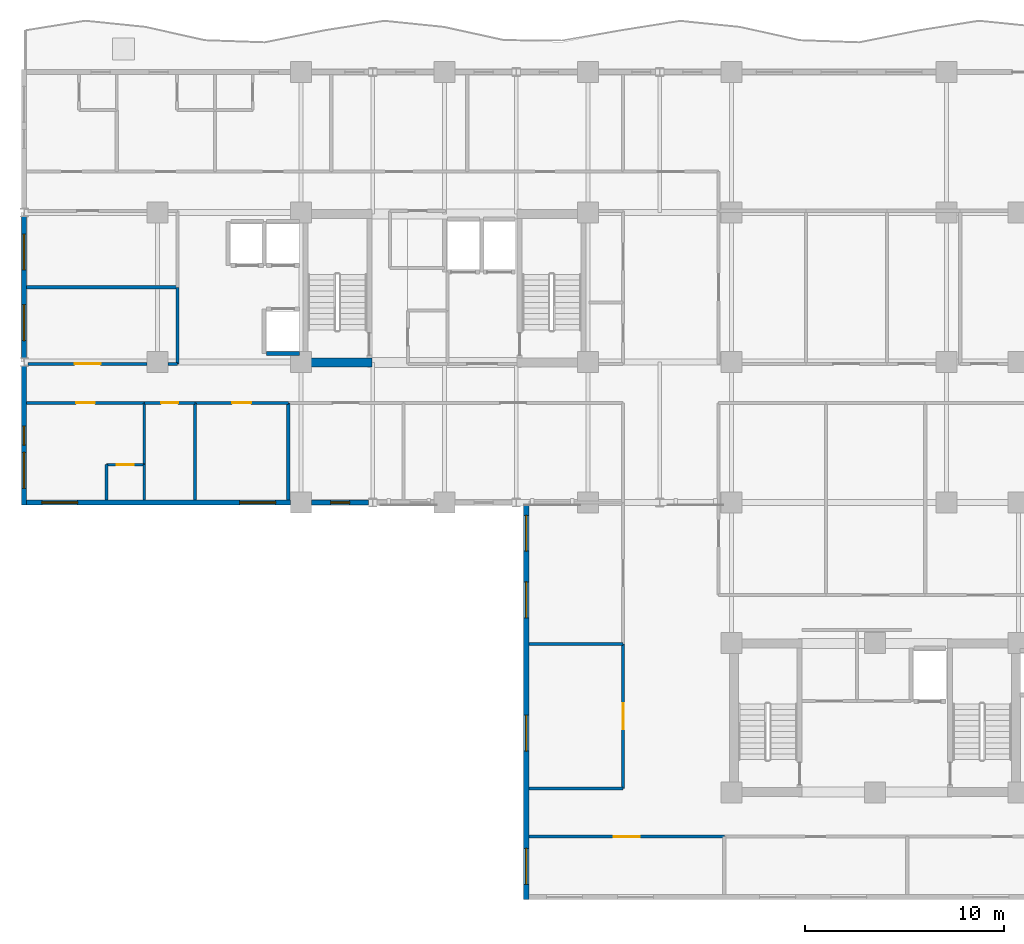
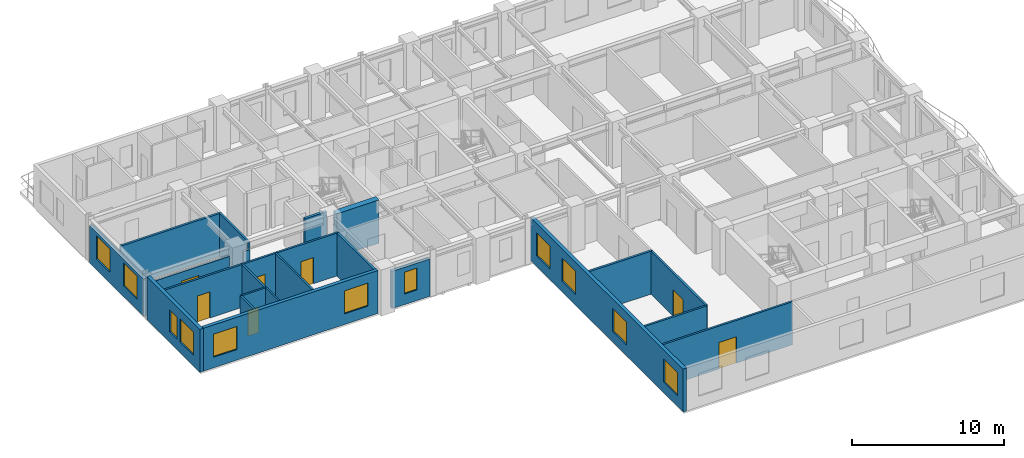
# One storey, part 4 of 13: 24 walls, 11 windows, 7 doors, 18 openings.
"""IFC4 building model written with IfcOpenShell, lengths in metres."""

from ifc_helpers import new_model, si_unit, direction, frame, frame_2d, origin, place, context, subcontext, project, spatial, rectangle, extrude, material, layer, layer_set, type_object, element, fill, save


model = new_model("IFC4")

# Units and contexts
model_context = context("Model", 3, precision=1e-05, world=origin(), true_north=direction((0.0, 1.0)))
body_context = subcontext(model_context, "Body", "Model", "MODEL_VIEW")
ifc_project = project(units=[si_unit("LENGTHUNIT", "METRE"), si_unit("AREAUNIT", "SQUARE_METRE"), si_unit("VOLUMEUNIT", "CUBIC_METRE"), si_unit("PLANEANGLEUNIT", "RADIAN"), si_unit("MASSUNIT", "GRAM", prefix="KILO")], contexts=[model_context])

# Site, building, storey
site_placement = place(None, origin())
site = spatial("IfcSite", under=ifc_project, at=site_placement, CompositionType="ELEMENT")
building_placement = place(site_placement, origin())
building = spatial("IfcBuilding", under=site, at=building_placement, Name="Kaliganga Portal Commons", CompositionType="ELEMENT")
storey_placement = place(building_placement, frame((0.0, 0.0, 158.699951171875)))
storey = spatial("IfcBuildingStorey", under=building, at=storey_placement, Name="L40", CompositionType="ELEMENT", Elevation=158.699951171875)

# Wall
ifc_material_1 = material(Name="Concrete C60/75", Category="concrete")
ifc_layer_1 = layer(ifc_material_1, 0.449951171875)
ifc_layer_set_1 = layer_set([ifc_layer_1], Name="Concrete C60/75")
wall_type_1 = type_object("IfcWallType", Name="WL-CORE-450", PredefinedType="SHEAR", material=ifc_layer_set_1)
wall_1_placement = place(storey_placement, frame((14.75, 28.625, 0.0), z_axis=(0.0, 0.0, 1.0), x_axis=(1.0, 0.0, 0.0)))
element("IfcWall", 1, at=wall_1_placement, inside=storey, type_object=wall_type_1, Name="Core A S-West Shear Wall L40", PredefinedType="SHEAR", context=body_context, shape_type="SweptSolid", body=[
    extrude(rectangle(XDim=3.199951171875, YDim=0.449951171875, at=frame_2d((1.60009765625, 0.0))), origin(), (0.0, 0.0, 1.0), 3.4599609375),
])

# Wall, openings, windows
ifc_material_2 = material(Name="Insulated Aluminium-Clad Spandrel Assembly", Category="aluminium")
ifc_layer_2 = layer(ifc_material_2, 0.260009765625)
ifc_layer_set_2 = layer_set([ifc_layer_2], Name="Insulated Aluminium-Clad Spandrel Assembly")
wall_type_2 = type_object("IfcWallType", Name="WL-EXT-SPAND-260", PredefinedType="STANDARD", material=ifc_layer_set_2)
wall_2_placement = place(storey_placement, frame((0.5, 28.85791015625, 0.0), z_axis=(0.0, 0.0, 1.0), x_axis=(0.0, 1.0, 0.0)))
wall_2 = element("IfcWall", 2, at=wall_2_placement, inside=storey, type_object=wall_type_2, Name="Exterior Envelope Wall L40 P1-E03-S2", PredefinedType="STANDARD", context=body_context, shape_type="SweptSolid", body=[
    extrude(rectangle(XDim=7.083984375, YDim=0.260009765625, at=frame_2d((3.5419921875, 0.0))), origin(), (0.0, 0.0, 1.0), 2.989990234375),
])
opening_1_placement = place(wall_2_placement, frame((0.87109375, 0.0, 0.85009765625)))
opening_1 = element("IfcOpeningElement", 3, at=opening_1_placement, cuts=wall_2, Name="Opening W-01", PredefinedType="OPENING", context=body_context, shape_type="SweptSolid", body=[
    extrude(rectangle(XDim=1.800048828125, YDim=1.85009765625, at=frame_2d((0.89990234375, 0.925048828125))), frame((0.0, 0.14013671875, 0.0), z_axis=(0.0, -1.0, 0.0), x_axis=(1.0, 0.0, 0.0)), (0.0, 0.0, 1.0), 0.280029296875),
])
opening_2_placement = place(wall_2_placement, frame((4.4130859375, 0.0, 0.85009765625)))
opening_2 = element("IfcOpeningElement", 4, at=opening_2_placement, cuts=wall_2, Name="Opening W-01", PredefinedType="OPENING", context=body_context, shape_type="SweptSolid", body=[
    extrude(rectangle(XDim=1.800048828125, YDim=1.85009765625, at=frame_2d((0.89990234375, 0.925048828125))), frame((0.0, 0.14013671875, 0.0), z_axis=(0.0, -1.0, 0.0), x_axis=(1.0, 0.0, 0.0)), (0.0, 0.0, 1.0), 0.280029296875),
])
ifc_material_3 = material(Name="Thermally Broken Aluminium and Low-E Double Glazing", Category="aluminium")
window_type_1 = type_object("IfcWindowType", Name="WIN-STD-1800", PartitioningType="DOUBLE_PANEL_VERTICAL", PredefinedType="WINDOW", material=ifc_material_3)
window_1_placement = place(opening_1_placement, origin())
window_1 = element("IfcWindow", 5, at=window_1_placement, inside=storey, type_object=window_type_1, Name="Facade Window L40-P1E03S2-00", OverallHeight=1.85009765625, OverallWidth=1.800048828125, PartitioningType="SINGLE_PANEL", PredefinedType="WINDOW", context=body_context, shape_type="SweptSolid", body=[
    extrude(rectangle(XDim=1.800048828125, YDim=1.85009765625, at=frame_2d((0.89990234375, 0.925048828125))), frame((0.0, 0.030029296875, 0.0), z_axis=(0.0, -1.0, 0.0), x_axis=(1.0, 0.0, 0.0)), (0.0, 0.0, 1.0), 0.06005859375),
])
fill(opening_1, window_1)
window_2_placement = place(opening_2_placement, origin())
window_2 = element("IfcWindow", 6, at=window_2_placement, inside=storey, type_object=window_type_1, Name="Facade Window L40-P1E03S2-01", OverallHeight=1.85009765625, OverallWidth=1.800048828125, PartitioningType="SINGLE_PANEL", PredefinedType="WINDOW", context=body_context, shape_type="SweptSolid", body=[
    extrude(rectangle(XDim=1.800048828125, YDim=1.85009765625, at=frame_2d((0.89990234375, 0.925048828125))), frame((0.0, 0.030029296875, 0.0), z_axis=(0.0, -1.0, 0.0), x_axis=(1.0, 0.0, 0.0)), (0.0, 0.0, 1.0), 0.06005859375),
])
fill(opening_2, window_2)

wall_3_placement = place(storey_placement, frame((0.5, 21.469970703125, 0.0), z_axis=(0.0, 0.0, 1.0), x_axis=(0.0, 1.0, 0.0)))
wall_3 = element("IfcWall", 7, at=wall_3_placement, inside=storey, type_object=wall_type_2, Name="Exterior Envelope Wall L40 P1-E03-S3", PredefinedType="STANDARD", context=body_context, shape_type="SweptSolid", body=[
    extrude(rectangle(XDim=6.971923828125, YDim=0.260009765625, at=frame_2d((3.48583984375, 0.0))), origin(), (0.0, 0.0, 1.0), 3.43994140625),
])
opening_3_placement = place(wall_3_placement, frame((0.843017578125, 0.0, 0.85009765625)))
opening_3 = element("IfcOpeningElement", 8, at=opening_3_placement, cuts=wall_3, Name="Opening W-01", PredefinedType="OPENING", context=body_context, shape_type="SweptSolid", body=[
    extrude(rectangle(XDim=1.800048828125, YDim=1.85009765625, at=frame_2d((0.89990234375, 0.925048828125))), frame((0.0, 0.14013671875, 0.0), z_axis=(0.0, -1.0, 0.0), x_axis=(1.0, 0.0, 0.0)), (0.0, 0.0, 1.0), 0.280029296875),
])
opening_4_placement = place(wall_3_placement, frame((3.010986328125, 0.0, 0.85009765625)))
opening_4 = element("IfcOpeningElement", 9, at=opening_4_placement, cuts=wall_3, Name="Opening W-04", PredefinedType="OPENING", context=body_context, shape_type="SweptSolid", body=[
    extrude(rectangle(XDim=0.949951171875, YDim=1.75, at=frame_2d((0.47509765625, 0.875))), frame((0.0, 0.14013671875, 0.0), z_axis=(0.0, -1.0, 0.0), x_axis=(1.0, 0.0, 0.0)), (0.0, 0.0, 1.0), 0.280029296875),
])
window_type_2 = type_object("IfcWindowType", Name="WIN-NARROW-950", PartitioningType="SINGLE_PANEL", PredefinedType="WINDOW", material=ifc_material_3)
window_3_placement = place(opening_4_placement, origin())
window_3 = element("IfcWindow", 10, at=window_3_placement, inside=storey, type_object=window_type_2, Name="Facade Window L40-P1E03S3-N0", OverallHeight=1.75, OverallWidth=0.949951171875, PartitioningType="SINGLE_PANEL", PredefinedType="WINDOW", context=body_context, shape_type="SweptSolid", body=[
    extrude(rectangle(XDim=0.949951171875, YDim=1.75, at=frame_2d((0.47509765625, 0.875))), frame((0.0, 0.030029296875, 0.0), z_axis=(0.0, -1.0, 0.0), x_axis=(1.0, 0.0, 0.0)), (0.0, 0.0, 1.0), 0.06005859375),
])
fill(opening_4, window_3)
window_4_placement = place(opening_3_placement, origin())
window_4 = element("IfcWindow", 11, at=window_4_placement, inside=storey, type_object=window_type_1, Name="Facade Window L40-P1E03S3-00", OverallHeight=1.85009765625, OverallWidth=1.800048828125, PartitioningType="SINGLE_PANEL", PredefinedType="WINDOW", context=body_context, shape_type="SweptSolid", body=[
    extrude(rectangle(XDim=1.800048828125, YDim=1.85009765625, at=frame_2d((0.89990234375, 0.925048828125))), frame((0.0, 0.030029296875, 0.0), z_axis=(0.0, -1.0, 0.0), x_axis=(1.0, 0.0, 0.0)), (0.0, 0.0, 1.0), 0.06005859375),
])
fill(opening_3, window_4)

wall_4_placement = place(storey_placement, frame((13.8740234375, 21.60009765625, 0.0), z_axis=(0.0, 0.0, 1.0), x_axis=(-1.0, 0.0, 0.0)))
wall_4 = element("IfcWall", 12, at=wall_4_placement, inside=storey, type_object=wall_type_2, Name="Exterior Envelope Wall L40 P1-E04-S1", PredefinedType="STANDARD", context=body_context, shape_type="SweptSolid", body=[
    extrude(rectangle(XDim=13.239013671875, YDim=0.260009765625, at=frame_2d((6.61962890625, 0.0))), origin(), (0.0, 0.0, 1.0), 3.43994140625),
])
opening_5_placement = place(wall_4_placement, frame((0.7548828125, 0.0, 0.85009765625)))
opening_5 = element("IfcOpeningElement", 13, at=opening_5_placement, cuts=wall_4, Name="Opening W-01", PredefinedType="OPENING", context=body_context, shape_type="SweptSolid", body=[
    extrude(rectangle(XDim=1.800048828125, YDim=1.85009765625, at=frame_2d((0.89990234375, 0.925048828125))), frame((0.0, 0.14013671875, 0.0), z_axis=(0.0, -1.0, 0.0), x_axis=(1.0, 0.0, 0.0)), (0.0, 0.0, 1.0), 0.280029296875),
])
opening_6_placement = place(wall_4_placement, frame((10.68408203125, 0.0, 0.85009765625)))
opening_6 = element("IfcOpeningElement", 14, at=opening_6_placement, cuts=wall_4, Name="Opening W-01", PredefinedType="OPENING", context=body_context, shape_type="SweptSolid", body=[
    extrude(rectangle(XDim=1.800048828125, YDim=1.85009765625, at=frame_2d((0.89990234375, 0.925048828125))), frame((0.0, 0.14013671875, 0.0), z_axis=(0.0, -1.0, 0.0), x_axis=(1.0, 0.0, 0.0)), (0.0, 0.0, 1.0), 0.280029296875),
])
window_5_placement = place(opening_5_placement, origin())
window_5 = element("IfcWindow", 15, at=window_5_placement, inside=storey, type_object=window_type_1, Name="Facade Window L40-P1E04S1-00", OverallHeight=1.85009765625, OverallWidth=1.800048828125, PartitioningType="SINGLE_PANEL", PredefinedType="WINDOW", context=body_context, shape_type="SweptSolid", body=[
    extrude(rectangle(XDim=1.800048828125, YDim=1.85009765625, at=frame_2d((0.89990234375, 0.925048828125))), frame((0.0, 0.030029296875, 0.0), z_axis=(0.0, -1.0, 0.0), x_axis=(1.0, 0.0, 0.0)), (0.0, 0.0, 1.0), 0.06005859375),
])
fill(opening_5, window_5)
window_6_placement = place(opening_6_placement, origin())
window_6 = element("IfcWindow", 16, at=window_6_placement, inside=storey, type_object=window_type_1, Name="Facade Window L40-P1E04S1-03", OverallHeight=1.85009765625, OverallWidth=1.800048828125, PartitioningType="SINGLE_PANEL", PredefinedType="WINDOW", context=body_context, shape_type="SweptSolid", body=[
    extrude(rectangle(XDim=1.800048828125, YDim=1.85009765625, at=frame_2d((0.89990234375, 0.925048828125))), frame((0.0, 0.030029296875, 0.0), z_axis=(0.0, -1.0, 0.0), x_axis=(1.0, 0.0, 0.0)), (0.0, 0.0, 1.0), 0.06005859375),
])
fill(opening_6, window_6)

# Wall, opening, window
wall_5_placement = place(storey_placement, frame((17.797119140625, 21.60009765625, 0.0), z_axis=(0.0, 0.0, 1.0), x_axis=(-1.0, 0.0, 0.0)))
wall_5 = element("IfcWall", 17, at=wall_5_placement, inside=storey, type_object=wall_type_2, Name="Exterior Envelope Wall L40 P1-E04-S2", PredefinedType="STANDARD", context=body_context, shape_type="SweptSolid", body=[
    extrude(rectangle(XDim=2.87109375, YDim=0.260009765625, at=frame_2d((1.435546875, 0.0))), origin(), (0.0, 0.0, 1.0), 2.989990234375),
])
opening_7_placement = place(wall_5_placement, frame((0.96044921875, 0.0, 0.85009765625)))
opening_7 = element("IfcOpeningElement", 18, at=opening_7_placement, cuts=wall_5, Name="Opening W-04", PredefinedType="OPENING", context=body_context, shape_type="SweptSolid", body=[
    extrude(rectangle(XDim=0.949951171875, YDim=1.75, at=frame_2d((0.47509765625, 0.875))), frame((0.0, 0.14013671875, 0.0), z_axis=(0.0, -1.0, 0.0), x_axis=(1.0, 0.0, 0.0)), (0.0, 0.0, 1.0), 0.280029296875),
])
window_7_placement = place(opening_7_placement, origin())
window_7 = element("IfcWindow", 19, at=window_7_placement, inside=storey, type_object=window_type_2, Name="Facade Window L40-P1E04S2-00", OverallHeight=1.75, OverallWidth=0.949951171875, PartitioningType="SINGLE_PANEL", PredefinedType="WINDOW", context=body_context, shape_type="SweptSolid", body=[
    extrude(rectangle(XDim=0.949951171875, YDim=1.75, at=frame_2d((0.47509765625, 0.875))), frame((0.0, 0.030029296875, 0.0), z_axis=(0.0, -1.0, 0.0), x_axis=(1.0, 0.0, 0.0)), (0.0, 0.0, 1.0), 0.06005859375),
])
fill(opening_7, window_7)

# Wall, openings, windows
wall_6_placement = place(storey_placement, frame((25.699951171875, 1.669921875, 0.0), z_axis=(0.0, 0.0, 1.0), x_axis=(0.0, 1.0, 0.0)))
wall_6 = element("IfcWall", 20, at=wall_6_placement, inside=storey, type_object=wall_type_2, Name="Exterior Envelope Wall L40 P1-E05-S1", PredefinedType="STANDARD", context=body_context, shape_type="SweptSolid", body=[
    extrude(rectangle(XDim=20.06005859375, YDim=0.260009765625, at=frame_2d((10.030029296875, 0.0))), origin(), (0.0, 0.0, 1.0), 3.43994140625),
])
opening_8_placement = place(wall_6_placement, frame((0.771728515625, 0.0, 0.85009765625)))
opening_8 = element("IfcOpeningElement", 21, at=opening_8_placement, cuts=wall_6, Name="Opening W-01", PredefinedType="OPENING", context=body_context, shape_type="SweptSolid", body=[
    extrude(rectangle(XDim=1.800048828125, YDim=1.85009765625, at=frame_2d((0.89990234375, 0.925048828125))), frame((0.0, 0.14013671875, 0.0), z_axis=(0.0, -1.0, 0.0), x_axis=(1.0, 0.0, 0.0)), (0.0, 0.0, 1.0), 0.280029296875),
])
opening_9_placement = place(wall_6_placement, frame((7.458251953125, 0.0, 0.85009765625)))
opening_9 = element("IfcOpeningElement", 22, at=opening_9_placement, cuts=wall_6, Name="Opening W-01", PredefinedType="OPENING", context=body_context, shape_type="SweptSolid", body=[
    extrude(rectangle(XDim=1.800048828125, YDim=1.85009765625, at=frame_2d((0.89990234375, 0.925048828125))), frame((0.0, 0.14013671875, 0.0), z_axis=(0.0, -1.0, 0.0), x_axis=(1.0, 0.0, 0.0)), (0.0, 0.0, 1.0), 0.280029296875),
])
opening_10_placement = place(wall_6_placement, frame((14.14501953125, 0.0, 0.85009765625)))
opening_10 = element("IfcOpeningElement", 23, at=opening_10_placement, cuts=wall_6, Name="Opening W-01", PredefinedType="OPENING", context=body_context, shape_type="SweptSolid", body=[
    extrude(rectangle(XDim=1.800048828125, YDim=1.85009765625, at=frame_2d((0.89990234375, 0.925048828125))), frame((0.0, 0.14013671875, 0.0), z_axis=(0.0, -1.0, 0.0), x_axis=(1.0, 0.0, 0.0)), (0.0, 0.0, 1.0), 0.280029296875),
])
opening_11_placement = place(wall_6_placement, frame((17.48828125, 0.0, 0.85009765625)))
opening_11 = element("IfcOpeningElement", 24, at=opening_11_placement, cuts=wall_6, Name="Opening W-01", PredefinedType="OPENING", context=body_context, shape_type="SweptSolid", body=[
    extrude(rectangle(XDim=1.800048828125, YDim=1.85009765625, at=frame_2d((0.89990234375, 0.925048828125))), frame((0.0, 0.14013671875, 0.0), z_axis=(0.0, -1.0, 0.0), x_axis=(1.0, 0.0, 0.0)), (0.0, 0.0, 1.0), 0.280029296875),
])
window_8_placement = place(opening_8_placement, origin())
window_8 = element("IfcWindow", 25, at=window_8_placement, inside=storey, type_object=window_type_1, Name="Facade Window L40-P1E05S1-00", OverallHeight=1.85009765625, OverallWidth=1.800048828125, PartitioningType="SINGLE_PANEL", PredefinedType="WINDOW", context=body_context, shape_type="SweptSolid", body=[
    extrude(rectangle(XDim=1.800048828125, YDim=1.85009765625, at=frame_2d((0.89990234375, 0.925048828125))), frame((0.0, 0.030029296875, 0.0), z_axis=(0.0, -1.0, 0.0), x_axis=(1.0, 0.0, 0.0)), (0.0, 0.0, 1.0), 0.06005859375),
])
fill(opening_8, window_8)
window_9_placement = place(opening_9_placement, origin())
window_9 = element("IfcWindow", 26, at=window_9_placement, inside=storey, type_object=window_type_1, Name="Facade Window L40-P1E05S1-02", OverallHeight=1.85009765625, OverallWidth=1.800048828125, PartitioningType="SINGLE_PANEL", PredefinedType="WINDOW", context=body_context, shape_type="SweptSolid", body=[
    extrude(rectangle(XDim=1.800048828125, YDim=1.85009765625, at=frame_2d((0.89990234375, 0.925048828125))), frame((0.0, 0.030029296875, 0.0), z_axis=(0.0, -1.0, 0.0), x_axis=(1.0, 0.0, 0.0)), (0.0, 0.0, 1.0), 0.06005859375),
])
fill(opening_9, window_9)
window_10_placement = place(opening_10_placement, origin())
window_10 = element("IfcWindow", 27, at=window_10_placement, inside=storey, type_object=window_type_1, Name="Facade Window L40-P1E05S1-04", OverallHeight=1.85009765625, OverallWidth=1.800048828125, PartitioningType="SINGLE_PANEL", PredefinedType="WINDOW", context=body_context, shape_type="SweptSolid", body=[
    extrude(rectangle(XDim=1.800048828125, YDim=1.85009765625, at=frame_2d((0.89990234375, 0.925048828125))), frame((0.0, 0.030029296875, 0.0), z_axis=(0.0, -1.0, 0.0), x_axis=(1.0, 0.0, 0.0)), (0.0, 0.0, 1.0), 0.06005859375),
])
fill(opening_10, window_10)
window_11_placement = place(opening_11_placement, origin())
window_11 = element("IfcWindow", 28, at=window_11_placement, inside=storey, type_object=window_type_1, Name="Facade Window L40-P1E05S1-05", OverallHeight=1.85009765625, OverallWidth=1.800048828125, PartitioningType="SINGLE_PANEL", PredefinedType="WINDOW", context=body_context, shape_type="SweptSolid", body=[
    extrude(rectangle(XDim=1.800048828125, YDim=1.85009765625, at=frame_2d((0.89990234375, 0.925048828125))), frame((0.0, 0.030029296875, 0.0), z_axis=(0.0, -1.0, 0.0), x_axis=(1.0, 0.0, 0.0)), (0.0, 0.0, 1.0), 0.06005859375),
])
fill(opening_11, window_11)

# Wall, opening, door
ifc_material_4 = material(Name="Fire-Rated Gypsum Board on Steel Stud", Category="steel")
ifc_layer_3 = layer(ifc_material_4, 0.14990234375)
ifc_layer_set_3 = layer_set([ifc_layer_3], Name="Fire-Rated Gypsum Board on Steel Stud")
wall_type_3 = type_object("IfcWallType", Name="WL-PART-CORR-150", PredefinedType="PARTITIONING", material=ifc_layer_set_3)
wall_7_placement = place(storey_placement, frame((25.83203125, 4.840087890625, 0.0), z_axis=(0.0, 0.0, 1.0), x_axis=(1.0, 0.0, 0.0)))
wall_7 = element("IfcWall", 29, at=wall_7_placement, inside=storey, type_object=wall_type_3, Name="Interior Partition L40-013", PredefinedType="PARTITIONING", context=body_context, shape_type="SweptSolid", body=[
    extrude(rectangle(XDim=9.807861328125, YDim=0.14990234375, at=frame_2d((4.90380859375, 0.0))), origin(), (0.0, 0.0, 1.0), 3.43994140625),
])
opening_12_placement = place(wall_7_placement, frame((4.25390625, 0.0, 0.0)))
opening_12 = element("IfcOpeningElement", 30, at=opening_12_placement, cuts=wall_7, Name="Opening RD-03", PredefinedType="OPENING", context=body_context, shape_type="SweptSolid", body=[
    extrude(rectangle(XDim=1.300048828125, YDim=2.1201171875, at=frame_2d((0.64990234375, 1.06005859375))), frame((0.0, 0.0849609375, 0.0), z_axis=(0.0, -1.0, 0.0), x_axis=(1.0, 0.0, 0.0)), (0.0, 0.0, 1.0), 0.169921875),
])
ifc_material_5 = material(Name="Glazed Timber Seminar Vision Door", Category="wood")
door_type_1 = type_object("IfcDoorType", Name="DR-STUDY-1300", OperationType="DOUBLE_DOOR_SINGLE_SWING", PredefinedType="DOOR", material=ifc_material_5)
door_1_placement = place(opening_12_placement, origin())
door_1 = element("IfcDoor", 31, at=door_1_placement, inside=storey, type_object=door_type_1, Name="Interior Door L40-BS01", OperationType="DOUBLE_DOOR_SINGLE_SWING", OverallHeight=2.1201171875, OverallWidth=1.300048828125, PredefinedType="DOOR", context=body_context, shape_type="SweptSolid", body=[
    extrude(rectangle(XDim=1.300048828125, YDim=2.1201171875, at=frame_2d((0.64990234375, 1.06005859375))), frame((0.0, 0.02490234375, 0.0), z_axis=(0.0, -1.0, 0.0), x_axis=(1.0, 0.0, 0.0)), (0.0, 0.0, 1.0), 0.050048828125),
])
fill(opening_12, door_1)

wall_8_placement = place(storey_placement, frame((0.701904296875, 28.56005859375, 0.0), z_axis=(0.0, 0.0, 1.0), x_axis=(1.0, 0.0, 0.0)))
wall_8 = element("IfcWall", 32, at=wall_8_placement, inside=storey, type_object=wall_type_3, Name="Interior Partition L40-018", PredefinedType="PARTITIONING", context=body_context, shape_type="SweptSolid", body=[
    extrude(rectangle(XDim=5.97314453125, YDim=0.14990234375, at=frame_2d((2.986572265625, 0.0))), origin(), (0.0, 0.0, 1.0), 2.840087890625),
])
opening_13_placement = place(wall_8_placement, frame((2.33642578125, 0.0, 0.0)))
opening_13 = element("IfcOpeningElement", 33, at=opening_13_placement, cuts=wall_8, Name="Opening RD-03", PredefinedType="OPENING", context=body_context, shape_type="SweptSolid", body=[
    extrude(rectangle(XDim=1.300048828125, YDim=2.1201171875, at=frame_2d((0.64990234375, 1.06005859375))), frame((0.0, 0.0849609375, 0.0), z_axis=(0.0, -1.0, 0.0), x_axis=(1.0, 0.0, 0.0)), (0.0, 0.0, 1.0), 0.169921875),
])
door_2_placement = place(opening_13_placement, origin())
door_2 = element("IfcDoor", 34, at=door_2_placement, inside=storey, type_object=door_type_1, Name="Interior Door L40-AW01", OperationType="DOUBLE_DOOR_SINGLE_SWING", OverallHeight=2.1201171875, OverallWidth=1.300048828125, PredefinedType="DOOR", context=body_context, shape_type="SweptSolid", body=[
    extrude(rectangle(XDim=1.300048828125, YDim=2.1201171875, at=frame_2d((0.64990234375, 1.06005859375))), frame((0.0, 0.02490234375, 0.0), z_axis=(0.0, -1.0, 0.0), x_axis=(1.0, 0.0, 0.0)), (0.0, 0.0, 1.0), 0.050048828125),
])
fill(opening_13, door_2)

# Wall
wall_9_placement = place(storey_placement, frame((7.72509765625, 28.56005859375, 0.0), z_axis=(0.0, 0.0, 1.0), x_axis=(1.0, 0.0, 0.0)))
element("IfcWall", 35, at=wall_9_placement, inside=storey, type_object=wall_type_3, Name="Interior Partition L40-019", PredefinedType="PARTITIONING", context=body_context, shape_type="SweptSolid", body=[
    extrude(rectangle(XDim=0.474853515625, YDim=0.14990234375, at=frame_2d((0.2373046875, 0.0))), origin(), (0.0, 0.0, 1.0), 2.840087890625),
])

# Wall, opening, door
wall_10_placement = place(storey_placement, frame((30.56005859375, 7.239990234375, 0.0), z_axis=(0.0, 0.0, 1.0), x_axis=(0.0, 1.0, 0.0)))
wall_10 = element("IfcWall", 36, at=wall_10_placement, inside=storey, type_object=wall_type_3, Name="Interior Partition L40-023", PredefinedType="PARTITIONING", context=body_context, shape_type="SweptSolid", body=[
    extrude(rectangle(XDim=7.260009765625, YDim=0.14990234375, at=frame_2d((3.6298828125, 0.0))), origin(), (0.0, 0.0, 1.0), 3.43994140625),
])
opening_14_placement = place(wall_10_placement, frame((2.97998046875, 0.0, 0.0)))
opening_14 = element("IfcOpeningElement", 37, at=opening_14_placement, cuts=wall_10, Name="Opening RD-03", PredefinedType="OPENING", context=body_context, shape_type="SweptSolid", body=[
    extrude(rectangle(XDim=1.300048828125, YDim=2.1201171875, at=frame_2d((0.64990234375, 1.06005859375))), frame((0.0, 0.0849609375, 0.0), z_axis=(0.0, -1.0, 0.0), x_axis=(1.0, 0.0, 0.0)), (0.0, 0.0, 1.0), 0.169921875),
])
door_3_placement = place(opening_14_placement, origin())
door_3 = element("IfcDoor", 38, at=door_3_placement, inside=storey, type_object=door_type_1, Name="Interior Door L40-KW01", OperationType="DOUBLE_DOOR_SINGLE_SWING", OverallHeight=2.1201171875, OverallWidth=1.300048828125, PredefinedType="DOOR", context=body_context, shape_type="SweptSolid", body=[
    extrude(rectangle(XDim=1.300048828125, YDim=2.1201171875, at=frame_2d((0.64990234375, 1.06005859375))), frame((0.0, 0.02490234375, 0.0), z_axis=(0.0, -1.0, 0.0), x_axis=(1.0, 0.0, 0.0)), (0.0, 0.0, 1.0), 0.050048828125),
])
fill(opening_14, door_3)

wall_11_placement = place(storey_placement, frame((0.632080078125, 26.60009765625, 0.0), z_axis=(0.0, 0.0, 1.0), x_axis=(1.0, 0.0, 0.0)))
wall_11 = element("IfcWall", 39, at=wall_11_placement, inside=storey, type_object=wall_type_3, Name="Interior Partition L40-028", PredefinedType="PARTITIONING", context=body_context, shape_type="SweptSolid", body=[
    extrude(rectangle(XDim=5.907958984375, YDim=0.14990234375, at=frame_2d((2.9541015625, 0.0))), origin(), (0.0, 0.0, 1.0), 3.43994140625),
])
opening_15_placement = place(wall_11_placement, frame((2.47900390625, 0.0, 0.0)))
opening_15 = element("IfcOpeningElement", 40, at=opening_15_placement, cuts=wall_11, Name="Opening UD-01", PredefinedType="OPENING", context=body_context, shape_type="SweptSolid", body=[
    extrude(rectangle(XDim=0.949951171875, YDim=2.10009765625, at=frame_2d((0.47509765625, 1.050048828125))), frame((0.0, 0.0849609375, 0.0), z_axis=(0.0, -1.0, 0.0), x_axis=(1.0, 0.0, 0.0)), (0.0, 0.0, 1.0), 0.169921875),
])
ifc_material_6 = material(Name="Solid-Core Timber Acoustic Fire Door", Category="wood")
door_type_2 = type_object("IfcDoorType", Name="DR-UNIT-950", OperationType="NOTDEFINED", PredefinedType="DOOR", material=ifc_material_6)
door_4_placement = place(opening_15_placement, origin())
door_4 = element("IfcDoor", 41, at=door_4_placement, inside=storey, type_object=door_type_2, Name="Interior Door L40-AS01", OperationType="SINGLE_SWING_RIGHT", OverallHeight=2.10009765625, OverallWidth=0.949951171875, PredefinedType="DOOR", context=body_context, shape_type="SweptSolid", body=[
    extrude(rectangle(XDim=0.949951171875, YDim=2.10009765625, at=frame_2d((0.47509765625, 1.050048828125))), frame((0.0, 0.02490234375, 0.0), z_axis=(0.0, -1.0, 0.0), x_axis=(1.0, 0.0, 0.0)), (0.0, 0.0, 1.0), 0.050048828125),
])
fill(opening_15, door_4)

# Wall
wall_12_placement = place(storey_placement, frame((25.83203125, 7.239990234375, 0.0), z_axis=(0.0, 0.0, 1.0), x_axis=(1.0, 0.0, 0.0)))
element("IfcWall", 42, at=wall_12_placement, inside=storey, type_object=wall_type_3, Name="Interior Partition L40-039", PredefinedType="PARTITIONING", context=body_context, shape_type="SweptSolid", body=[
    extrude(rectangle(XDim=4.72802734375, YDim=0.14990234375, at=frame_2d((2.364013671875, 0.0))), origin(), (0.0, 0.0, 1.0), 3.43994140625),
])

# Wall, opening, door
wall_13_placement = place(storey_placement, frame((9.080078125, 26.60009765625, 0.0), z_axis=(0.0, 0.0, 1.0), x_axis=(1.0, 0.0, 0.0)))
wall_13 = element("IfcWall", 43, at=wall_13_placement, inside=storey, type_object=wall_type_3, Name="Interior Partition L40-041", PredefinedType="PARTITIONING", context=body_context, shape_type="SweptSolid", body=[
    extrude(rectangle(XDim=4.679931640625, YDim=0.14990234375, at=frame_2d((2.33984375, 0.0))), origin(), (0.0, 0.0, 1.0), 3.43994140625),
])
opening_16_placement = place(wall_13_placement, frame((1.864990234375, 0.0, 0.0)))
opening_16 = element("IfcOpeningElement", 44, at=opening_16_placement, cuts=wall_13, Name="Opening UD-01", PredefinedType="OPENING", context=body_context, shape_type="SweptSolid", body=[
    extrude(rectangle(XDim=0.949951171875, YDim=2.10009765625, at=frame_2d((0.47509765625, 1.050048828125))), frame((0.0, 0.0849609375, 0.0), z_axis=(0.0, -1.0, 0.0), x_axis=(1.0, 0.0, 0.0)), (0.0, 0.0, 1.0), 0.169921875),
])
door_5_placement = place(opening_16_placement, origin())
door_5 = element("IfcDoor", 45, at=door_5_placement, inside=storey, type_object=door_type_2, Name="Interior Door L40-AS03", OperationType="SINGLE_SWING_LEFT", OverallHeight=2.10009765625, OverallWidth=0.949951171875, PredefinedType="DOOR", context=body_context, shape_type="SweptSolid", body=[
    extrude(rectangle(XDim=0.949951171875, YDim=2.10009765625, at=frame_2d((0.47509765625, 1.050048828125))), frame((0.0, 0.02490234375, 0.0), z_axis=(0.0, -1.0, 0.0), x_axis=(1.0, 0.0, 0.0)), (0.0, 0.0, 1.0), 0.050048828125),
])
fill(opening_16, door_5)

# Wall
wall_14_placement = place(storey_placement, frame((8.199951171875, 28.56005859375, 0.0), z_axis=(0.0, 0.0, 1.0), x_axis=(0.0, 1.0, 0.0)))
element("IfcWall", 46, at=wall_14_placement, inside=storey, type_object=wall_type_3, Name="Interior Partition L40-047", PredefinedType="PARTITIONING", context=body_context, shape_type="SweptSolid", body=[
    extrude(rectangle(XDim=3.83984375, YDim=0.14990234375, at=frame_2d((1.919921875, 0.0))), origin(), (0.0, 0.0, 1.0), 3.43994140625),
])

# Wall, opening, door
wall_15_placement = place(storey_placement, frame((6.5400390625, 26.60009765625, 0.0), z_axis=(0.0, 0.0, 1.0), x_axis=(1.0, 0.0, 0.0)))
wall_15 = element("IfcWall", 47, at=wall_15_placement, inside=storey, type_object=wall_type_3, Name="Interior Partition L40-060", PredefinedType="PARTITIONING", context=body_context, shape_type="SweptSolid", body=[
    extrude(rectangle(XDim=2.5400390625, YDim=0.14990234375, at=frame_2d((1.27001953125, 0.0))), origin(), (0.0, 0.0, 1.0), 3.43994140625),
])
opening_17_placement = place(wall_15_placement, frame((0.844970703125, 0.0, 0.0)))
opening_17 = element("IfcOpeningElement", 48, at=opening_17_placement, cuts=wall_15, Name="Opening WD-01", PredefinedType="OPENING", context=body_context, shape_type="SweptSolid", body=[
    extrude(rectangle(XDim=0.85009765625, YDim=2.0400390625, at=frame_2d((0.425048828125, 1.02001953125))), frame((0.0, 0.0849609375, 0.0), z_axis=(0.0, -1.0, 0.0), x_axis=(1.0, 0.0, 0.0)), (0.0, 0.0, 1.0), 0.169921875),
])
ifc_material_7 = material(Name="Moisture-Resistant Laminate Timber Door", Category="wood")
door_type_3 = type_object("IfcDoorType", Name="DR-WET-850", OperationType="NOTDEFINED", PredefinedType="DOOR", material=ifc_material_7)
door_6_placement = place(opening_17_placement, origin())
door_6 = element("IfcDoor", 49, at=door_6_placement, inside=storey, type_object=door_type_3, Name="Interior Door L40-AS02", OperationType="SINGLE_SWING_RIGHT", OverallHeight=2.0400390625, OverallWidth=0.85009765625, PredefinedType="DOOR", context=body_context, shape_type="SweptSolid", body=[
    extrude(rectangle(XDim=0.85009765625, YDim=2.0400390625, at=frame_2d((0.425048828125, 1.02001953125))), frame((0.0, 0.02490234375, 0.0), z_axis=(0.0, -1.0, 0.0), x_axis=(1.0, 0.0, 0.0)), (0.0, 0.0, 1.0), 0.050048828125),
])
fill(opening_17, door_6)

# Walls
ifc_material_8 = material(Name="Twin-Stud Acoustic Gypsum Partition", Category="gypsum")
ifc_layer_4 = layer(ifc_material_8, 0.1650390625)
ifc_layer_set_4 = layer_set([ifc_layer_4], Name="Twin-Stud Acoustic Gypsum Partition")
wall_type_4 = type_object("IfcWallType", Name="WL-PART-UNIT-165", PredefinedType="PARTITIONING", material=ifc_layer_set_4)
wall_16_placement = place(storey_placement, frame((0.632080078125, 32.39990234375, 0.0), z_axis=(0.0, 0.0, 1.0), x_axis=(1.0, 0.0, 0.0)))
element("IfcWall", 50, at=wall_16_placement, inside=storey, type_object=wall_type_4, Name="Interior Partition L40-071", PredefinedType="PARTITIONING", context=body_context, shape_type="SweptSolid", body=[
    extrude(rectangle(XDim=7.56787109375, YDim=0.1650390625, at=frame_2d((3.783935546875, 0.0))), origin(), (0.0, 0.0, 1.0), 3.43994140625),
])
wall_17_placement = place(storey_placement, frame((13.760009765625, 21.73193359375, 0.0), z_axis=(0.0, 0.0, 1.0), x_axis=(0.0, 1.0, 0.0)))
element("IfcWall", 51, at=wall_17_placement, inside=storey, type_object=wall_type_4, Name="Interior Partition L40-077", PredefinedType="PARTITIONING", context=body_context, shape_type="SweptSolid", body=[
    extrude(rectangle(XDim=4.8681640625, YDim=0.1650390625, at=frame_2d((2.43408203125, 0.0))), origin(), (0.0, 0.0, 1.0), 3.43994140625),
])
wall_18_placement = place(storey_placement, frame((25.83203125, 14.5, 0.0), z_axis=(0.0, 0.0, 1.0), x_axis=(1.0, 0.0, 0.0)))
element("IfcWall", 52, at=wall_18_placement, inside=storey, type_object=wall_type_4, Name="Interior Partition L40-082", PredefinedType="PARTITIONING", context=body_context, shape_type="SweptSolid", body=[
    extrude(rectangle(XDim=4.72802734375, YDim=0.1650390625, at=frame_2d((2.364013671875, 0.0))), origin(), (0.0, 0.0, 1.0), 3.43994140625),
])

# Wall, opening, door
ifc_material_9 = material(Name="Cement-Board Wet-Room Partition", Category="gypsum")
ifc_layer_5 = layer(ifc_material_9, 0.135009765625)
ifc_layer_set_5 = layer_set([ifc_layer_5], Name="Cement-Board Wet-Room Partition")
wall_type_5 = type_object("IfcWallType", Name="WL-PART-WET-135", PredefinedType="PARTITIONING", material=ifc_layer_set_5)
wall_19_placement = place(storey_placement, frame((4.639892578125, 23.5, 0.0), z_axis=(0.0, 0.0, 1.0), x_axis=(1.0, 0.0, 0.0)))
wall_19 = element("IfcWall", 53, at=wall_19_placement, inside=storey, type_object=wall_type_5, Name="Interior Partition L40-006", PredefinedType="PARTITIONING", context=body_context, shape_type="SweptSolid", body=[
    extrude(rectangle(XDim=1.900146484375, YDim=0.135009765625, at=frame_2d((0.9501953125, 0.0))), origin(), (0.0, 0.0, 1.0), 3.43994140625),
])
opening_18_placement = place(wall_19_placement, frame((0.52490234375, 0.0, 0.0)))
opening_18 = element("IfcOpeningElement", 54, at=opening_18_placement, cuts=wall_19, Name="Opening WD-01", PredefinedType="OPENING", context=body_context, shape_type="SweptSolid", body=[
    extrude(rectangle(XDim=0.85009765625, YDim=2.0400390625, at=frame_2d((0.425048828125, 1.02001953125))), frame((0.0, 0.07763671875, 0.0), z_axis=(0.0, -1.0, 0.0), x_axis=(1.0, 0.0, 0.0)), (0.0, 0.0, 1.0), 0.155029296875),
])
door_7_placement = place(opening_18_placement, origin())
door_7 = element("IfcDoor", 55, at=door_7_placement, inside=storey, type_object=door_type_3, Name="Interior Door L40-AS01E", OperationType="SINGLE_SWING_RIGHT", OverallHeight=2.0400390625, OverallWidth=0.85009765625, PredefinedType="DOOR", context=body_context, shape_type="SweptSolid", body=[
    extrude(rectangle(XDim=0.85009765625, YDim=2.0400390625, at=frame_2d((0.425048828125, 1.02001953125))), frame((0.0, 0.02490234375, 0.0), z_axis=(0.0, -1.0, 0.0), x_axis=(1.0, 0.0, 0.0)), (0.0, 0.0, 1.0), 0.050048828125),
])
fill(opening_18, door_7)

# Walls
for number, where, z_axis, x_axis, name in (
    (56, (4.639892578125, 21.73193359375, 0.0), (0.0, 0.0, 1.0), (0.0, 1.0, 0.0), "Interior Partition L40-010"),
    (57, (6.5400390625, 21.73193359375, 0.0), (0.0, 0.0, 1.0), (0.0, 1.0, 0.0), "Interior Partition L40-011"),
):
    element("IfcWall", number, at=place(storey_placement, frame(where, z_axis=z_axis, x_axis=x_axis)), inside=storey, type_object=wall_type_5, Name=name, PredefinedType="PARTITIONING", context=body_context, shape_type="SweptSolid", body=[
        extrude(rectangle(XDim=1.76806640625, YDim=0.135009765625, at=frame_2d((0.884033203125, 0.0))), origin(), (0.0, 0.0, 1.0), 3.43994140625),
    ])
wall_20_placement = place(storey_placement, frame((9.080078125, 21.73193359375, 0.0), z_axis=(0.0, 0.0, 1.0), x_axis=(0.0, 1.0, 0.0)))
element("IfcWall", 58, at=wall_20_placement, inside=storey, type_object=wall_type_5, Name="Interior Partition L40-076", PredefinedType="PARTITIONING", context=body_context, shape_type="SweptSolid", body=[
    extrude(rectangle(XDim=4.8681640625, YDim=0.135009765625, at=frame_2d((2.43408203125, 0.0))), origin(), (0.0, 0.0, 1.0), 3.43994140625),
])
wall_21_placement = place(storey_placement, frame((6.5400390625, 23.5, 0.0), z_axis=(0.0, 0.0, 1.0), x_axis=(0.0, 1.0, 0.0)))
element("IfcWall", 59, at=wall_21_placement, inside=storey, type_object=wall_type_5, Name="Interior Partition L40-089", PredefinedType="PARTITIONING", context=body_context, shape_type="SweptSolid", body=[
    extrude(rectangle(XDim=3.10009765625, YDim=0.135009765625, at=frame_2d((1.550048828125, 0.0))), origin(), (0.0, 0.0, 1.0), 3.43994140625),
])
ifc_material_10 = material(Name="Fire-Rated Shaftwall Masonry Assembly", Category="masonry")
ifc_layer_6 = layer(ifc_material_10, 0.199951171875)
ifc_layer_set_6 = layer_set([ifc_layer_6], Name="Fire-Rated Shaftwall Masonry Assembly")
wall_type_6 = type_object("IfcWallType", Name="WL-SHAFT-200", PredefinedType="PARTITIONING", material=ifc_layer_set_6)
wall_22_placement = place(storey_placement, frame((12.675048828125, 29.0849609375, 0.0), z_axis=(0.0, 0.0, 1.0), x_axis=(1.0, 0.0, 0.0)))
element("IfcWall", 60, at=wall_22_placement, inside=storey, type_object=wall_type_6, Name="Lift PL-A4 Hoistway Shaft Wall L40-S", PredefinedType="PARTITIONING", context=body_context, shape_type="SweptSolid", body=[
    extrude(rectangle(XDim=1.64990234375, YDim=0.199951171875, at=frame_2d((0.824951171875, 0.0))), origin(), (0.0, 0.0, 1.0), 3.43994140625),
])

save(model, "model.ifc")
